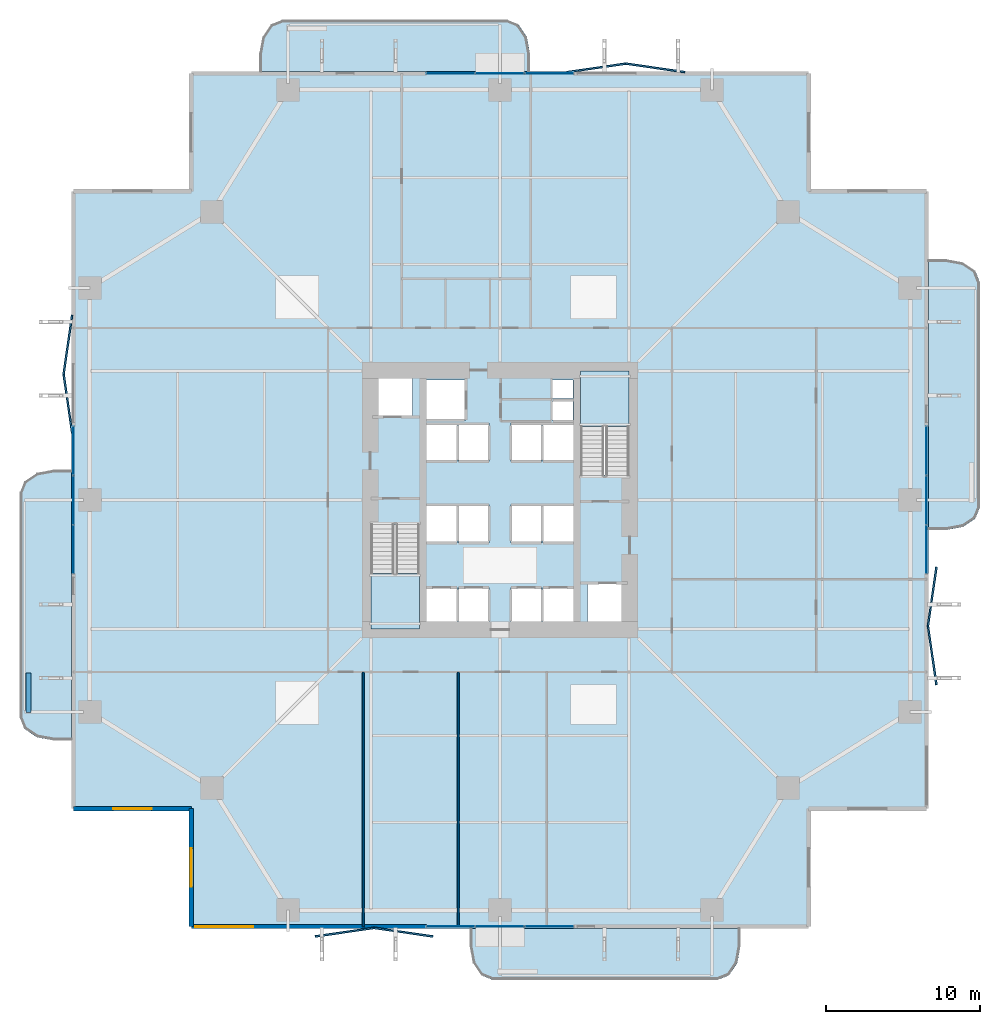
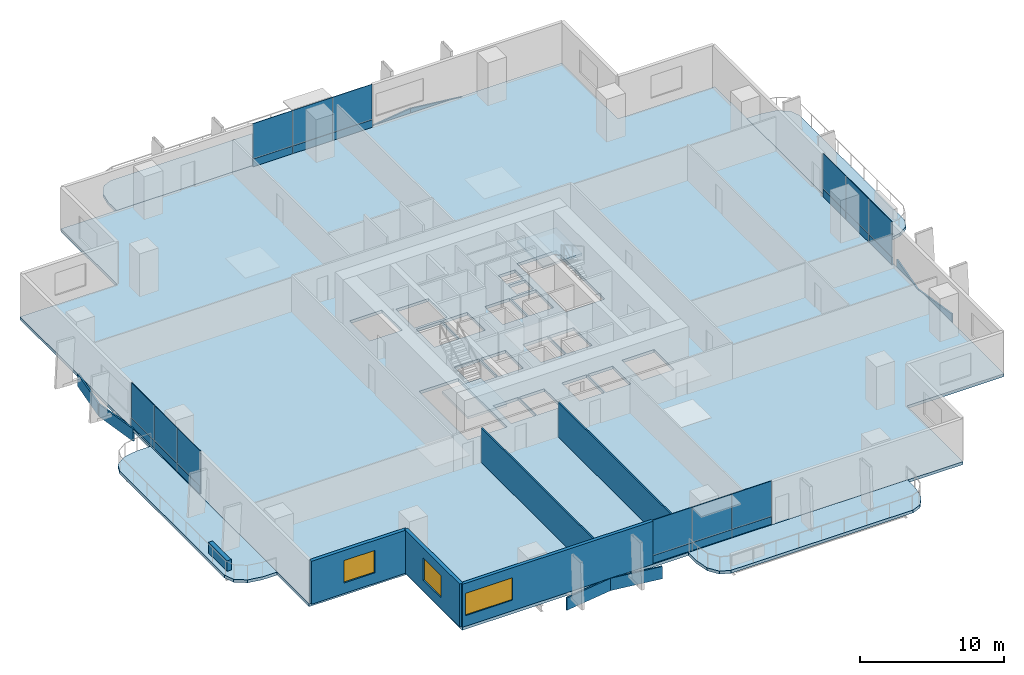
# One storey, part 16 of 24: 32 plates, 7 slabs, 6 walls, 3 windows, 3 openings, 6 elements without a shape of their own.
"""IFC4 building model written with IfcOpenShell, lengths in metres."""

from ifc_helpers import new_model, si_unit, direction, frame, frame_2d, origin, origin_2d, place, context, subcontext, project, spatial, polyline, rectangle, outline, extrude, material, layer, layer_set, type_object, element, fill, aggregate, save


model = new_model("IFC4")

# Units and contexts
model_context = context("Model", 3, precision=1e-05, world=origin(), true_north=direction((0.0, 1.0)))
body_context = subcontext(model_context, "Body", "Model", "MODEL_VIEW")
ifc_project = project(units=[si_unit("LENGTHUNIT", "METRE"), si_unit("AREAUNIT", "SQUARE_METRE"), si_unit("VOLUMEUNIT", "CUBIC_METRE"), si_unit("PLANEANGLEUNIT", "RADIAN"), si_unit("MASSUNIT", "GRAM", prefix="KILO")], contexts=[model_context])

# Site, building, storey
site_placement = place(None, origin())
site = spatial("IfcSite", under=ifc_project, at=site_placement, CompositionType="ELEMENT")
building_placement = place(site_placement, origin())
building = spatial("IfcBuilding", under=site, at=building_placement, Name="Belovzor Exchange Tower", CompositionType="ELEMENT")
storey_placement = place(building_placement, frame((0.0, 0.0, 69.0)))
storey = spatial("IfcBuildingStorey", under=building, at=storey_placement, Name="L16", CompositionType="ELEMENT", Elevation=69.0)

# Slab
ifc_material_1 = material(Name="Concrete C40/50", Category="concrete")
ifc_layer_1 = layer(ifc_material_1, 0.25)
ifc_layer_set_1 = layer_set([ifc_layer_1], Name="Concrete C40/50")
slab_type_1 = type_object("IfcSlabType", Name="Composite Concrete Floor Deck Slab 250", PredefinedType="FLOOR", material=ifc_layer_set_1)
slab_1_placement = place(storey_placement, frame((0.0, 0.0, -0.25)))
element("IfcSlab", 1, at=slab_1_placement, inside=storey, type_object=slab_type_1, Name="SL-F250 Structural Slab L16", PredefinedType="FLOOR", context=body_context, shape_type="SweptSolid", body=[
    extrude(outline(polyline([(8.699951171875, 0.89990234375), (48.89990234375, 0.89990234375), (48.89990234375, 8.699951171875), (56.699951171875, 8.699951171875), (56.699951171875, 48.89990234375), (48.89990234375, 48.89990234375), (48.89990234375, 56.699951171875), (8.699951171875, 56.699951171875), (8.699951171875, 48.89990234375), (0.89990234375, 48.89990234375), (0.89990234375, 8.699951171875), (8.699951171875, 8.699951171875), (8.699951171875, 0.89990234375)]), holes=[polyline([(20.39990234375, 27.175048828125), (20.39990234375, 20.39990234375), (23.550048828125, 20.39990234375), (23.550048828125, 27.175048828125), (20.39990234375, 27.175048828125)]), polyline([(37.199951171875, 30.425048828125), (37.199951171875, 37.199951171875), (34.050048828125, 37.199951171875), (34.050048828125, 30.425048828125), (37.199951171875, 30.425048828125)]), polyline([(20.5, 34.199951171875), (23.10009765625, 34.199951171875), (23.10009765625, 37.0), (20.5, 37.0), (20.5, 34.199951171875)]), polyline([(34.5, 20.60009765625), (37.10009765625, 20.60009765625), (37.10009765625, 23.39990234375), (34.5, 23.39990234375), (34.5, 20.60009765625)]), polyline([(24.0, 34.0), (26.60009765625, 34.0), (26.60009765625, 36.60009765625), (24.0, 36.60009765625), (24.0, 34.0)]), polyline([(24.0, 20.60009765625), (26.0, 20.60009765625), (26.0, 23.10009765625), (24.0, 23.10009765625), (24.0, 20.60009765625)]), polyline([(26.10009765625, 20.60009765625), (28.10009765625, 20.60009765625), (28.10009765625, 23.10009765625), (26.10009765625, 23.10009765625), (26.10009765625, 20.60009765625)]), polyline([(29.5, 20.60009765625), (31.5, 20.60009765625), (31.5, 23.10009765625), (29.5, 23.10009765625), (29.5, 20.60009765625)]), polyline([(31.60009765625, 20.60009765625), (33.60009765625, 20.60009765625), (33.60009765625, 23.10009765625), (31.60009765625, 23.10009765625), (31.60009765625, 20.60009765625)]), polyline([(24.0, 26.0), (26.0, 26.0), (26.0, 28.5), (24.0, 28.5), (24.0, 26.0)]), polyline([(26.10009765625, 26.0), (28.10009765625, 26.0), (28.10009765625, 28.5), (26.10009765625, 28.5), (26.10009765625, 26.0)]), polyline([(29.5, 26.0), (31.5, 26.0), (31.5, 28.5), (29.5, 28.5), (29.5, 26.0)]), polyline([(31.60009765625, 26.0), (33.60009765625, 26.0), (33.60009765625, 28.5), (31.60009765625, 28.5), (31.60009765625, 26.0)]), polyline([(24.0, 31.300048828125), (26.0, 31.300048828125), (26.0, 33.800048828125), (24.0, 33.800048828125), (24.0, 31.300048828125)]), polyline([(26.10009765625, 31.300048828125), (28.10009765625, 31.300048828125), (28.10009765625, 33.800048828125), (26.10009765625, 33.800048828125), (26.10009765625, 31.300048828125)]), polyline([(29.5, 31.300048828125), (31.5, 31.300048828125), (31.5, 33.800048828125), (29.5, 33.800048828125), (29.5, 31.300048828125)]), polyline([(31.60009765625, 31.300048828125), (33.60009765625, 31.300048828125), (33.60009765625, 33.800048828125), (31.60009765625, 33.800048828125), (31.60009765625, 31.300048828125)]), polyline([(32.199951171875, 34.0), (33.550048828125, 34.0), (33.550048828125, 35.199951171875), (32.199951171875, 35.199951171875), (32.199951171875, 34.0)]), polyline([(32.199951171875, 35.39990234375), (33.550048828125, 35.39990234375), (33.550048828125, 36.60009765625), (32.199951171875, 36.60009765625), (32.199951171875, 35.39990234375)])]), origin(), (0.0, 0.0, 1.0), 0.25),
])

# Plates
ifc_material_2 = material(Name="Extruded Architectural Terracotta", Category="masonry")
ifc_layer_2 = layer(ifc_material_2, 0.1201171875)
ifc_layer_set_2 = layer_set([ifc_layer_2], Name="Extruded Architectural Terracotta")
plate_type_1 = type_object("IfcPlateType", Name="Folded Zigzag Terracotta Spandrel Louvre 80", PredefinedType="USERDEFINED", material=ifc_layer_set_2)
for number, where, z_axis, x_axis, name in (
    (2, (18.699951171875, 0.6650390625, -1.03515625), (0.0, 0.0, 1.0), (0.989686419138, 0.143250800258, 0.0), "LVR-ZZ1 Zigzag Terracotta Spandrel Louvre L16 S1A"),
    (3, (22.5, 0.6650390625, -1.03515625), (0.0, 0.0, 1.0), (0.989686419138, -0.143250800258, 0.0), "LVR-ZZ1 Zigzag Terracotta Spandrel Louvre L16 S1B"),
    (4, (56.93505859375, 18.699951171875, -1.03515625), (0.0, 0.0, 1.0), (-0.143250800258, 0.989686419138, 0.0), "LVR-ZZ1 Zigzag Terracotta Spandrel Louvre L16 E1A"),
    (5, (56.93505859375, 22.5, -1.03515625), (0.0, 0.0, 1.0), (0.143250800258, 0.989686419138, 0.0), "LVR-ZZ1 Zigzag Terracotta Spandrel Louvre L16 E1B"),
    (6, (35.10009765625, 56.93505859375, -1.03515625), (0.0, 0.0, 1.0), (0.989686419138, 0.143250800258, 0.0), "LVR-ZZ1 Zigzag Terracotta Spandrel Louvre L16 N2A"),
    (7, (38.89990234375, 56.93505859375, -1.03515625), (0.0, 0.0, 1.0), (0.989686419138, -0.143250800258, 0.0), "LVR-ZZ1 Zigzag Terracotta Spandrel Louvre L16 N2B"),
    (8, (0.6650390625, 35.10009765625, -1.03515625), (0.0, 0.0, 1.0), (-0.143250800258, 0.989686419138, 0.0), "LVR-ZZ1 Zigzag Terracotta Spandrel Louvre L16 W2A"),
    (9, (0.6650390625, 38.89990234375, -1.03515625), (0.0, 0.0, 1.0), (0.143250800258, 0.989686419138, 0.0), "LVR-ZZ1 Zigzag Terracotta Spandrel Louvre L16 W2B"),
):
    element("IfcPlate", number, at=place(storey_placement, frame(where, z_axis=z_axis, x_axis=x_axis)), inside=storey, type_object=plate_type_1, Name=name, ObjectType="SPANDREL_LOUVRE", PredefinedType="USERDEFINED", context=body_context, shape_type="SweptSolid", body=[
        extrude(rectangle(XDim=3.919921875, YDim=0.1201171875, at=origin_2d()), origin(), (0.0, 0.0, 1.0), 1.050048828125),
    ])

# Curtain wall, plates
ifc_material_3 = material(Name="Anodised Aluminium Framing", Category="aluminium")
ifc_layer_3 = layer(ifc_material_3, 0.179931640625)
ifc_layer_set_3 = layer_set([ifc_layer_3], Name="Anodised Aluminium Framing")
curtain_wall_type = type_object("IfcCurtainWallType", Name="Recessed Loggia Low-Iron Triple-Glazed Curtain Wall", PredefinedType="NOTDEFINED", material=ifc_layer_set_3)
curtain_wall_1_placement = place(storey_placement, origin())
curtain_wall_1 = element("IfcCurtainWall", 10, at=curtain_wall_1_placement, inside=storey, type_object=curtain_wall_type, Name="CW3 Recessed Loggia Low-Iron Triple-Glazed Curtain Wall L16", PredefinedType="NOTDEFINED")
ifc_material_4 = material(Name="Solar-Control Triple Glazing", Category="glass")
ifc_layer_4 = layer(ifc_material_4, 0.0439453125)
ifc_layer_set_4 = layer_set([ifc_layer_4], Name="Solar-Control Triple Glazing")
plate_type_2 = type_object("IfcPlateType", Name="Insulated Solar Glazing Curtain Panel 44", PredefinedType="CURTAIN_PANEL", material=ifc_layer_set_4)
plate_1_placement = place(storey_placement, frame((32.0, 1.030029296875, 0.65185546875), z_axis=(0.0, 0.0, 1.0), x_axis=(-1.0, 0.0, 0.0)))
plate_1 = element("IfcPlate", 11, at=plate_1_placement, type_object=plate_type_2, Name="GLZ-44 Glazed Curtain Panel 1", PredefinedType="CURTAIN_PANEL", context=body_context, shape_type="SweptSolid", body=[
    extrude(rectangle(XDim=3.18408203125, YDim=0.0439453125, at=origin_2d()), origin(), (0.0, 0.0, 1.0), 2.998046875),
])
plate_2_placement = place(storey_placement, frame((28.800048828125, 1.030029296875, 0.65185546875), z_axis=(0.0, 0.0, 1.0), x_axis=(-1.0, 0.0, 0.0)))
plate_2 = element("IfcPlate", 12, at=plate_2_placement, type_object=plate_type_2, Name="GLZ-44 Glazed Curtain Panel 2", PredefinedType="CURTAIN_PANEL", context=body_context, shape_type="SweptSolid", body=[
    extrude(rectangle(XDim=3.18408203125, YDim=0.0439453125, at=origin_2d()), origin(), (0.0, 0.0, 1.0), 2.998046875),
])
plate_3_placement = place(storey_placement, frame((25.60009765625, 1.030029296875, 0.65185546875), z_axis=(0.0, 0.0, 1.0), x_axis=(-1.0, 0.0, 0.0)))
plate_3 = element("IfcPlate", 13, at=plate_3_placement, type_object=plate_type_2, Name="GLZ-44 Glazed Curtain Panel 3", PredefinedType="CURTAIN_PANEL", context=body_context, shape_type="SweptSolid", body=[
    extrude(rectangle(XDim=3.18408203125, YDim=0.0439453125, at=origin_2d()), origin(), (0.0, 0.0, 1.0), 2.998046875),
])

curtain_wall_2_placement = place(storey_placement, origin())
curtain_wall_2 = element("IfcCurtainWall", 14, at=curtain_wall_2_placement, inside=storey, type_object=curtain_wall_type, Name="CW3 Recessed Loggia Low-Iron Triple-Glazed Curtain Wall L16", PredefinedType="NOTDEFINED")
plate_4_placement = place(storey_placement, frame((25.60009765625, 56.570068359375, 0.65185546875), z_axis=(0.0, 0.0, 1.0), x_axis=(1.0, 0.0, 0.0)))
plate_4 = element("IfcPlate", 15, at=plate_4_placement, type_object=plate_type_2, Name="GLZ-44 Glazed Curtain Panel 1", PredefinedType="CURTAIN_PANEL", context=body_context, shape_type="SweptSolid", body=[
    extrude(rectangle(XDim=3.18408203125, YDim=0.0439453125, at=origin_2d()), origin(), (0.0, 0.0, 1.0), 2.998046875),
])
plate_5_placement = place(storey_placement, frame((28.800048828125, 56.570068359375, 0.65185546875), z_axis=(0.0, 0.0, 1.0), x_axis=(1.0, 0.0, 0.0)))
plate_5 = element("IfcPlate", 16, at=plate_5_placement, type_object=plate_type_2, Name="GLZ-44 Glazed Curtain Panel 2", PredefinedType="CURTAIN_PANEL", context=body_context, shape_type="SweptSolid", body=[
    extrude(rectangle(XDim=3.18408203125, YDim=0.0439453125, at=origin_2d()), origin(), (0.0, 0.0, 1.0), 2.998046875),
])
plate_6_placement = place(storey_placement, frame((32.0, 56.570068359375, 0.65185546875), z_axis=(0.0, 0.0, 1.0), x_axis=(1.0, 0.0, 0.0)))
plate_6 = element("IfcPlate", 17, at=plate_6_placement, type_object=plate_type_2, Name="GLZ-44 Glazed Curtain Panel 3", PredefinedType="CURTAIN_PANEL", context=body_context, shape_type="SweptSolid", body=[
    extrude(rectangle(XDim=3.18408203125, YDim=0.0439453125, at=origin_2d()), origin(), (0.0, 0.0, 1.0), 2.998046875),
])

curtain_wall_3_placement = place(storey_placement, origin())
curtain_wall_3 = element("IfcCurtainWall", 18, at=curtain_wall_3_placement, inside=storey, type_object=curtain_wall_type, Name="CW3 Recessed Loggia Low-Iron Triple-Glazed Curtain Wall L16", PredefinedType="NOTDEFINED")
plate_7_placement = place(storey_placement, frame((1.030029296875, 25.60009765625, 0.65185546875), z_axis=(0.0, 0.0, 1.0), x_axis=(0.0, 1.0, 0.0)))
plate_7 = element("IfcPlate", 19, at=plate_7_placement, type_object=plate_type_2, Name="GLZ-44 Glazed Curtain Panel 1", PredefinedType="CURTAIN_PANEL", context=body_context, shape_type="SweptSolid", body=[
    extrude(rectangle(XDim=3.18408203125, YDim=0.0439453125, at=origin_2d()), origin(), (0.0, 0.0, 1.0), 2.998046875),
])
plate_8_placement = place(storey_placement, frame((1.030029296875, 28.800048828125, 0.65185546875), z_axis=(0.0, 0.0, 1.0), x_axis=(0.0, 1.0, 0.0)))
plate_8 = element("IfcPlate", 20, at=plate_8_placement, type_object=plate_type_2, Name="GLZ-44 Glazed Curtain Panel 2", PredefinedType="CURTAIN_PANEL", context=body_context, shape_type="SweptSolid", body=[
    extrude(rectangle(XDim=3.18408203125, YDim=0.0439453125, at=origin_2d()), origin(), (0.0, 0.0, 1.0), 2.998046875),
])
plate_9_placement = place(storey_placement, frame((1.030029296875, 32.0, 0.65185546875), z_axis=(0.0, 0.0, 1.0), x_axis=(0.0, 1.0, 0.0)))
plate_9 = element("IfcPlate", 21, at=plate_9_placement, type_object=plate_type_2, Name="GLZ-44 Glazed Curtain Panel 3", PredefinedType="CURTAIN_PANEL", context=body_context, shape_type="SweptSolid", body=[
    extrude(rectangle(XDim=3.18408203125, YDim=0.0439453125, at=origin_2d()), origin(), (0.0, 0.0, 1.0), 2.998046875),
])

curtain_wall_4_placement = place(storey_placement, origin())
curtain_wall_4 = element("IfcCurtainWall", 22, at=curtain_wall_4_placement, inside=storey, type_object=curtain_wall_type, Name="CW3 Recessed Loggia Low-Iron Triple-Glazed Curtain Wall L16", PredefinedType="NOTDEFINED")
plate_10_placement = place(storey_placement, frame((56.570068359375, 32.0, 0.65185546875), z_axis=(0.0, 0.0, 1.0), x_axis=(0.0, -1.0, 0.0)))
plate_10 = element("IfcPlate", 23, at=plate_10_placement, type_object=plate_type_2, Name="GLZ-44 Glazed Curtain Panel 1", PredefinedType="CURTAIN_PANEL", context=body_context, shape_type="SweptSolid", body=[
    extrude(rectangle(XDim=3.18408203125, YDim=0.0439453125, at=origin_2d()), origin(), (0.0, 0.0, 1.0), 2.998046875),
])
plate_11_placement = place(storey_placement, frame((56.570068359375, 28.800048828125, 0.65185546875), z_axis=(0.0, 0.0, 1.0), x_axis=(0.0, -1.0, 0.0)))
plate_11 = element("IfcPlate", 24, at=plate_11_placement, type_object=plate_type_2, Name="GLZ-44 Glazed Curtain Panel 2", PredefinedType="CURTAIN_PANEL", context=body_context, shape_type="SweptSolid", body=[
    extrude(rectangle(XDim=3.18408203125, YDim=0.0439453125, at=origin_2d()), origin(), (0.0, 0.0, 1.0), 2.998046875),
])
plate_12_placement = place(storey_placement, frame((56.570068359375, 25.60009765625, 0.65185546875), z_axis=(0.0, 0.0, 1.0), x_axis=(0.0, -1.0, 0.0)))
plate_12 = element("IfcPlate", 25, at=plate_12_placement, type_object=plate_type_2, Name="GLZ-44 Glazed Curtain Panel 3", PredefinedType="CURTAIN_PANEL", context=body_context, shape_type="SweptSolid", body=[
    extrude(rectangle(XDim=3.18408203125, YDim=0.0439453125, at=origin_2d()), origin(), (0.0, 0.0, 1.0), 2.998046875),
])

# Stair, slab
ifc_material_5 = material(Name="Concrete C40/50", Category="concrete")
stair_type = type_object("IfcStairType", Name="Reinforced Concrete Dogleg Escape Stair 1350", PredefinedType="HALF_TURN_STAIR", material=ifc_material_5)
stair_1_placement = place(storey_placement, origin())
stair_1 = element("IfcStair", 26, at=stair_1_placement, inside=storey, type_object=stair_type, Name="L16 ST-1", PredefinedType="HALF_TURN_STAIR")
ifc_material_6 = material(Name="Concrete C40/50", Category="concrete")
ifc_layer_5 = layer(ifc_material_6, 0.199951171875)
ifc_layer_set_5 = layer_set([ifc_layer_5], Name="Concrete C40/50")
slab_type_2 = type_object("IfcSlabType", Name="Reinforced Concrete Stair Half-Landing Slab 200", PredefinedType="LANDING", material=ifc_layer_set_5)
slab_2_placement = place(storey_placement, frame((0.0, 0.0, 1.75)))
slab_2 = element("IfcSlab", 27, at=slab_2_placement, type_object=slab_type_2, Name="ST-1 landing 1", PredefinedType="LANDING", context=body_context, shape_type="SweptSolid", body=[
    extrude(outline(polyline([(20.39990234375, 24.010009765625), (20.39990234375, 20.39990234375), (23.550048828125, 20.39990234375), (23.550048828125, 24.010009765625), (20.39990234375, 24.010009765625)])), origin(), (0.0, 0.0, 1.0), 0.199951171875),
])
aggregate(stair_1, [slab_2])

stair_2_placement = place(storey_placement, origin())
stair_2 = element("IfcStair", 28, at=stair_2_placement, inside=storey, type_object=stair_type, Name="L16 ST-2", PredefinedType="HALF_TURN_STAIR")
slab_3_placement = place(storey_placement, frame((0.0, 0.0, 1.75)))
slab_3 = element("IfcSlab", 29, at=slab_3_placement, type_object=slab_type_2, Name="ST-2 landing 1", PredefinedType="LANDING", context=body_context, shape_type="SweptSolid", body=[
    extrude(outline(polyline([(37.199951171875, 33.590087890625), (37.199951171875, 37.199951171875), (34.050048828125, 37.199951171875), (34.050048828125, 33.590087890625), (37.199951171875, 33.590087890625)])), origin(), (0.0, 0.0, 1.0), 0.199951171875),
])
aggregate(stair_2, [slab_3])

# Plate
ifc_material_7 = material(Name="Extruded Architectural Terracotta", Category="masonry")
ifc_layer_6 = layer(ifc_material_7, 0.090087890625)
ifc_layer_set_6 = layer_set([ifc_layer_6], Name="Extruded Architectural Terracotta")
plate_type_3 = type_object("IfcPlateType", Name="Terracotta Shadow-Box Spandrel Panel 90", PredefinedType="CURTAIN_PANEL", material=ifc_layer_set_6)
plate_13_placement = place(storey_placement, frame((32.0, 1.030029296875, 0.0), z_axis=(0.0, 0.0, 1.0), x_axis=(-1.0, 0.0, 0.0)))
plate_13 = element("IfcPlate", 30, at=plate_13_placement, type_object=plate_type_3, Name="SPD-90 Spandrel Panel 1", PredefinedType="CURTAIN_PANEL", context=body_context, shape_type="SweptSolid", body=[
    extrude(rectangle(XDim=3.18408203125, YDim=0.090087890625, at=origin_2d()), origin(), (0.0, 0.0, 1.0), 0.64794921875),
])

plate_14_placement = place(storey_placement, frame((28.800048828125, 1.030029296875, 0.0), z_axis=(0.0, 0.0, 1.0), x_axis=(-1.0, 0.0, 0.0)))
plate_14 = element("IfcPlate", 31, at=plate_14_placement, type_object=plate_type_3, Name="SPD-90 Spandrel Panel 2", PredefinedType="CURTAIN_PANEL", context=body_context, shape_type="SweptSolid", body=[
    extrude(rectangle(XDim=3.18408203125, YDim=0.090087890625, at=origin_2d()), origin(), (0.0, 0.0, 1.0), 0.64794921875),
])

plate_15_placement = place(storey_placement, frame((25.60009765625, 1.030029296875, 0.0), z_axis=(0.0, 0.0, 1.0), x_axis=(-1.0, 0.0, 0.0)))
plate_15 = element("IfcPlate", 32, at=plate_15_placement, type_object=plate_type_3, Name="SPD-90 Spandrel Panel 3", PredefinedType="CURTAIN_PANEL", context=body_context, shape_type="SweptSolid", body=[
    extrude(rectangle(XDim=3.18408203125, YDim=0.090087890625, at=origin_2d()), origin(), (0.0, 0.0, 1.0), 0.64794921875),
])

aggregate(curtain_wall_1, [plate_13, plate_1, plate_14, plate_2, plate_15, plate_3])

plate_16_placement = place(storey_placement, frame((25.60009765625, 56.570068359375, 0.0), z_axis=(0.0, 0.0, 1.0), x_axis=(1.0, 0.0, 0.0)))
plate_16 = element("IfcPlate", 33, at=plate_16_placement, type_object=plate_type_3, Name="SPD-90 Spandrel Panel 1", PredefinedType="CURTAIN_PANEL", context=body_context, shape_type="SweptSolid", body=[
    extrude(rectangle(XDim=3.18408203125, YDim=0.090087890625, at=origin_2d()), origin(), (0.0, 0.0, 1.0), 0.64794921875),
])

plate_17_placement = place(storey_placement, frame((28.800048828125, 56.570068359375, 0.0), z_axis=(0.0, 0.0, 1.0), x_axis=(1.0, 0.0, 0.0)))
plate_17 = element("IfcPlate", 34, at=plate_17_placement, type_object=plate_type_3, Name="SPD-90 Spandrel Panel 2", PredefinedType="CURTAIN_PANEL", context=body_context, shape_type="SweptSolid", body=[
    extrude(rectangle(XDim=3.18408203125, YDim=0.090087890625, at=origin_2d()), origin(), (0.0, 0.0, 1.0), 0.64794921875),
])

plate_18_placement = place(storey_placement, frame((32.0, 56.570068359375, 0.0), z_axis=(0.0, 0.0, 1.0), x_axis=(1.0, 0.0, 0.0)))
plate_18 = element("IfcPlate", 35, at=plate_18_placement, type_object=plate_type_3, Name="SPD-90 Spandrel Panel 3", PredefinedType="CURTAIN_PANEL", context=body_context, shape_type="SweptSolid", body=[
    extrude(rectangle(XDim=3.18408203125, YDim=0.090087890625, at=origin_2d()), origin(), (0.0, 0.0, 1.0), 0.64794921875),
])

aggregate(curtain_wall_2, [plate_16, plate_4, plate_17, plate_5, plate_18, plate_6])

plate_19_placement = place(storey_placement, frame((1.030029296875, 25.60009765625, 0.0), z_axis=(0.0, 0.0, 1.0), x_axis=(0.0, 1.0, 0.0)))
plate_19 = element("IfcPlate", 36, at=plate_19_placement, type_object=plate_type_3, Name="SPD-90 Spandrel Panel 1", PredefinedType="CURTAIN_PANEL", context=body_context, shape_type="SweptSolid", body=[
    extrude(rectangle(XDim=3.18408203125, YDim=0.090087890625, at=origin_2d()), origin(), (0.0, 0.0, 1.0), 0.64794921875),
])

plate_20_placement = place(storey_placement, frame((1.030029296875, 28.800048828125, 0.0), z_axis=(0.0, 0.0, 1.0), x_axis=(0.0, 1.0, 0.0)))
plate_20 = element("IfcPlate", 37, at=plate_20_placement, type_object=plate_type_3, Name="SPD-90 Spandrel Panel 2", PredefinedType="CURTAIN_PANEL", context=body_context, shape_type="SweptSolid", body=[
    extrude(rectangle(XDim=3.18408203125, YDim=0.090087890625, at=origin_2d()), origin(), (0.0, 0.0, 1.0), 0.64794921875),
])

plate_21_placement = place(storey_placement, frame((1.030029296875, 32.0, 0.0), z_axis=(0.0, 0.0, 1.0), x_axis=(0.0, 1.0, 0.0)))
plate_21 = element("IfcPlate", 38, at=plate_21_placement, type_object=plate_type_3, Name="SPD-90 Spandrel Panel 3", PredefinedType="CURTAIN_PANEL", context=body_context, shape_type="SweptSolid", body=[
    extrude(rectangle(XDim=3.18408203125, YDim=0.090087890625, at=origin_2d()), origin(), (0.0, 0.0, 1.0), 0.64794921875),
])

aggregate(curtain_wall_3, [plate_19, plate_7, plate_20, plate_8, plate_21, plate_9])

plate_22_placement = place(storey_placement, frame((56.570068359375, 32.0, 0.0), z_axis=(0.0, 0.0, 1.0), x_axis=(0.0, -1.0, 0.0)))
plate_22 = element("IfcPlate", 39, at=plate_22_placement, type_object=plate_type_3, Name="SPD-90 Spandrel Panel 1", PredefinedType="CURTAIN_PANEL", context=body_context, shape_type="SweptSolid", body=[
    extrude(rectangle(XDim=3.18408203125, YDim=0.090087890625, at=origin_2d()), origin(), (0.0, 0.0, 1.0), 0.64794921875),
])

plate_23_placement = place(storey_placement, frame((56.570068359375, 28.800048828125, 0.0), z_axis=(0.0, 0.0, 1.0), x_axis=(0.0, -1.0, 0.0)))
plate_23 = element("IfcPlate", 40, at=plate_23_placement, type_object=plate_type_3, Name="SPD-90 Spandrel Panel 2", PredefinedType="CURTAIN_PANEL", context=body_context, shape_type="SweptSolid", body=[
    extrude(rectangle(XDim=3.18408203125, YDim=0.090087890625, at=origin_2d()), origin(), (0.0, 0.0, 1.0), 0.64794921875),
])

plate_24_placement = place(storey_placement, frame((56.570068359375, 25.60009765625, 0.0), z_axis=(0.0, 0.0, 1.0), x_axis=(0.0, -1.0, 0.0)))
plate_24 = element("IfcPlate", 41, at=plate_24_placement, type_object=plate_type_3, Name="SPD-90 Spandrel Panel 3", PredefinedType="CURTAIN_PANEL", context=body_context, shape_type="SweptSolid", body=[
    extrude(rectangle(XDim=3.18408203125, YDim=0.090087890625, at=origin_2d()), origin(), (0.0, 0.0, 1.0), 0.64794921875),
])

aggregate(curtain_wall_4, [plate_22, plate_10, plate_23, plate_11, plate_24, plate_12])

# Slabs
ifc_material_8 = material(Name="Concrete C40/50", Category="concrete")
ifc_layer_7 = layer(ifc_material_8, 0.25)
ifc_layer_set_7 = layer_set([ifc_layer_7], Name="Concrete C40/50")
slab_type_3 = type_object("IfcSlabType", Name="Thermally Broken Planted Balcony Slab 250", PredefinedType="FLOOR", material=ifc_layer_set_7)
slab_4_placement = place(storey_placement, frame((0.0, 0.0, -0.25)))
element("IfcSlab", 42, at=slab_4_placement, inside=storey, type_object=slab_type_3, Name="SL-BAL220 Planted Balcony Loggia L16 South", PredefinedType="FLOOR", context=body_context, shape_type="SweptSolid", body=[
    extrude(outline(polyline([(26.85009765625, 0.9150390625), (26.85009765625, -0.25), (27.051025390625, -1.35009765625), (27.60009765625, -2.155029296875), (28.35009765625, -2.449951171875), (42.949951171875, -2.449951171875), (43.699951171875, -2.155029296875), (44.2490234375, -1.35009765625), (44.449951171875, -0.25), (44.449951171875, 0.9150390625), (26.85009765625, 0.9150390625)])), origin(), (0.0, 0.0, 1.0), 0.25),
])
slab_5_placement = place(storey_placement, frame((0.0, 0.0, -0.25)))
element("IfcSlab", 43, at=slab_5_placement, inside=storey, type_object=slab_type_3, Name="SL-BAL220 Planted Balcony Loggia L16 North", PredefinedType="FLOOR", context=body_context, shape_type="SweptSolid", body=[
    extrude(outline(polyline([(30.75, 56.68505859375), (30.75, 57.85009765625), (30.549072265625, 58.949951171875), (30.0, 59.7548828125), (29.25, 60.050048828125), (14.64990234375, 60.050048828125), (13.89990234375, 59.7548828125), (13.35107421875, 58.949951171875), (13.14990234375, 57.85009765625), (13.14990234375, 56.68505859375), (30.75, 56.68505859375)])), origin(), (0.0, 0.0, 1.0), 0.25),
])
slab_6_placement = place(storey_placement, frame((0.0, 0.0, -0.25)))
element("IfcSlab", 44, at=slab_6_placement, inside=storey, type_object=slab_type_3, Name="SL-BAL220 Planted Balcony Loggia L16 East", PredefinedType="FLOOR", context=body_context, shape_type="SweptSolid", body=[
    extrude(outline(polyline([(56.68505859375, 26.85009765625), (57.85009765625, 26.85009765625), (58.949951171875, 27.051025390625), (59.7548828125, 27.60009765625), (60.050048828125, 28.35009765625), (60.050048828125, 42.949951171875), (59.7548828125, 43.699951171875), (58.949951171875, 44.2490234375), (57.85009765625, 44.449951171875), (56.68505859375, 44.449951171875), (56.68505859375, 26.85009765625)])), origin(), (0.0, 0.0, 1.0), 0.25),
])
slab_7_placement = place(storey_placement, frame((0.0, 0.0, -0.25)))
element("IfcSlab", 45, at=slab_7_placement, inside=storey, type_object=slab_type_3, Name="SL-BAL220 Planted Balcony Loggia L16 West", PredefinedType="FLOOR", context=body_context, shape_type="SweptSolid", body=[
    extrude(outline(polyline([(0.9150390625, 30.75), (-0.25, 30.75), (-1.35009765625, 30.549072265625), (-2.155029296875, 30.0), (-2.449951171875, 29.25), (-2.449951171875, 14.64990234375), (-2.155029296875, 13.89990234375), (-1.35009765625, 13.35107421875), (-0.25, 13.14990234375), (0.9150390625, 13.14990234375), (0.9150390625, 30.75)])), origin(), (0.0, 0.0, 1.0), 0.25),
])

# Walls
ifc_material_9 = material(Name="Acoustic Plasterboard on Galvanised Studs", Category="gypsum")
ifc_layer_8 = layer(ifc_material_9, 0.1201171875)
ifc_layer_set_8 = layer_set([ifc_layer_8], Name="Acoustic Plasterboard on Galvanised Studs")
wall_type_1 = type_object("IfcWallType", Name="Acoustic Double-Stud Partition Wall 120", PredefinedType="PARTITIONING", material=ifc_layer_set_8)
for number, where, z_axis, x_axis, name in (
    (46, (19.89990234375, 1.030029296875, 0.0), (0.0, 0.0, 1.0), (0.0, 1.0, 0.0), "W-P120 Partition Wall W-L16-SDIV-1"),
    (47, (26.080078125, 1.030029296875, 0.0), (0.0, 0.0, 1.0), (0.0, 1.0, 0.0), "W-P120 Partition Wall W-L16-SDIV-2"),
):
    element("IfcWall", number, at=place(storey_placement, frame(where, z_axis=z_axis, x_axis=x_axis)), inside=storey, type_object=wall_type_1, Name=name, PredefinedType="PARTITIONING", context=body_context, shape_type="SweptSolid", body=[
        extrude(rectangle(XDim=16.570068359375, YDim=0.1201171875, at=frame_2d((8.28515625, 0.0))), origin(), (0.0, 0.0, 1.0), 2.93505859375),
    ])

# Wall, opening, window
ifc_material_10 = material(Name="Precast concrete C40/50", Category="concrete")
ifc_layer_9 = layer(ifc_material_10, 0.280029296875)
ifc_layer_set_9 = layer_set([ifc_layer_9], Name="Precast concrete C40/50")
wall_type_2 = type_object("IfcWallType", Name="Precast Concrete Notched Corner Frame Wall 280", PredefinedType="SOLIDWALL", material=ifc_layer_set_9)
wall_1_placement = place(storey_placement, frame((8.699951171875, 1.030029296875, 0.0), z_axis=(0.0, 0.0, 1.0), x_axis=(0.0, 1.0, 0.0)))
wall_1 = element("IfcWall", 48, at=wall_1_placement, inside=storey, type_object=wall_type_2, Name="W-CRN280 Precast Concrete Notched Corner Frame Wall 280 L16", PredefinedType="SOLIDWALL", context=body_context, shape_type="SweptSolid", body=[
    extrude(rectangle(XDim=7.669921875, YDim=0.280029296875, at=frame_2d((3.8349609375, 0.0))), origin(), (0.0, 0.0, 1.0), 3.64990234375),
])
opening_1_placement = place(wall_1_placement, frame((2.5849609375, 0.0, 0.89990234375)))
opening_1 = element("IfcOpeningElement", 49, at=opening_1_placement, cuts=wall_1, Name="Opening WN-CRN250", PredefinedType="OPENING", context=body_context, shape_type="SweptSolid", body=[
    extrude(rectangle(XDim=2.5, YDim=1.89990234375, at=frame_2d((1.25, 0.949951171875))), frame((0.0, 0.14990234375, 0.0), z_axis=(0.0, -1.0, 0.0), x_axis=(1.0, 0.0, 0.0)), (0.0, 0.0, 1.0), 0.300048828125),
])
ifc_material_11 = material(Name="Thermally Broken Aluminium and Triple Glazing", Category="aluminium")
window_type_1 = type_object("IfcWindowType", Name="Streamline Moderne Corner Wrap Ribbon Window 2500x1900", PartitioningType="SINGLE_PANEL", PredefinedType="WINDOW", material=ifc_material_11)
window_1_placement = place(opening_1_placement, origin())
window_1 = element("IfcWindow", 50, at=window_1_placement, inside=storey, type_object=window_type_1, Name="WN-CRN250 Streamline Moderne Corner Wrap Ribbon Window 2500x1900", OverallHeight=1.89990234375, OverallWidth=2.5, PartitioningType="SINGLE_PANEL", PredefinedType="WINDOW", context=body_context, shape_type="SweptSolid", body=[
    extrude(rectangle(XDim=2.5, YDim=1.89990234375, at=frame_2d((1.25, 0.949951171875))), frame((0.0, 0.030029296875, 0.0), z_axis=(0.0, -1.0, 0.0), x_axis=(1.0, 0.0, 0.0)), (0.0, 0.0, 1.0), 0.06005859375),
])
fill(opening_1, window_1)

wall_2_placement = place(storey_placement, frame((8.699951171875, 8.699951171875, 0.0), z_axis=(0.0, 0.0, 1.0), x_axis=(-1.0, 0.0, 0.0)))
wall_2 = element("IfcWall", 51, at=wall_2_placement, inside=storey, type_object=wall_type_2, Name="W-CRN280 Precast Concrete Notched Corner Frame Wall 280 L16", PredefinedType="SOLIDWALL", context=body_context, shape_type="SweptSolid", body=[
    extrude(rectangle(XDim=7.669921875, YDim=0.280029296875, at=frame_2d((3.8349609375, 0.0))), origin(), (0.0, 0.0, 1.0), 3.64990234375),
])
opening_2_placement = place(wall_2_placement, frame((2.5849609375, 0.0, 0.89990234375)))
opening_2 = element("IfcOpeningElement", 52, at=opening_2_placement, cuts=wall_2, Name="Opening WN-CRN250", PredefinedType="OPENING", context=body_context, shape_type="SweptSolid", body=[
    extrude(rectangle(XDim=2.5, YDim=1.89990234375, at=frame_2d((1.25, 0.949951171875))), frame((0.0, 0.14990234375, 0.0), z_axis=(0.0, -1.0, 0.0), x_axis=(1.0, 0.0, 0.0)), (0.0, 0.0, 1.0), 0.300048828125),
])
window_2_placement = place(opening_2_placement, origin())
window_2 = element("IfcWindow", 53, at=window_2_placement, inside=storey, type_object=window_type_1, Name="WN-CRN250 Streamline Moderne Corner Wrap Ribbon Window 2500x1900", OverallHeight=1.89990234375, OverallWidth=2.5, PartitioningType="SINGLE_PANEL", PredefinedType="WINDOW", context=body_context, shape_type="SweptSolid", body=[
    extrude(rectangle(XDim=2.5, YDim=1.89990234375, at=frame_2d((1.25, 0.949951171875))), frame((0.0, 0.030029296875, 0.0), z_axis=(0.0, -1.0, 0.0), x_axis=(1.0, 0.0, 0.0)), (0.0, 0.0, 1.0), 0.06005859375),
])
fill(opening_2, window_2)

ifc_material_12 = material(Name="Precast concrete C40/50", Category="concrete")
ifc_layer_10 = layer(ifc_material_12, 0.260009765625)
ifc_layer_set_10 = layer_set([ifc_layer_10], Name="Precast concrete C40/50")
wall_type_3 = type_object("IfcWallType", Name="Precast Concrete Perimeter Loggia Frame Wall 260", PredefinedType="SOLIDWALL", material=ifc_layer_set_10)
wall_3_placement = place(storey_placement, frame((24.0, 1.030029296875, 0.0), z_axis=(0.0, 0.0, 1.0), x_axis=(-1.0, 0.0, 0.0)))
wall_3 = element("IfcWall", 54, at=wall_3_placement, inside=storey, type_object=wall_type_3, Name="W-EXT260 Precast Concrete Perimeter Loggia Frame Wall 260 L16", PredefinedType="SOLIDWALL", context=body_context, shape_type="SweptSolid", body=[
    extrude(rectangle(XDim=15.300048828125, YDim=0.260009765625, at=frame_2d((7.64990234375, 0.0))), origin(), (0.0, 0.0, 1.0), 3.64990234375),
])
opening_3_placement = place(wall_3_placement, frame((11.25, 0.0, 0.89990234375)))
opening_3 = element("IfcOpeningElement", 55, at=opening_3_placement, cuts=wall_3, Name="Opening WN-RIB380", PredefinedType="OPENING", context=body_context, shape_type="SweptSolid", body=[
    extrude(rectangle(XDim=3.800048828125, YDim=1.89990234375, at=frame_2d((1.89990234375, 0.949951171875))), frame((0.0, 0.139892578125, 0.0), z_axis=(0.0, -1.0, 0.0), x_axis=(1.0, 0.0, 0.0)), (0.0, 0.0, 1.0), 0.280029296875),
])
ifc_material_13 = material(Name="Thermally Broken Aluminium and Triple Glazing", Category="aluminium")
window_type_2 = type_object("IfcWindowType", Name="Streamline Moderne Horizontal Ribbon Window 3800x1900", PartitioningType="SINGLE_PANEL", PredefinedType="WINDOW", material=ifc_material_13)
window_3_placement = place(opening_3_placement, origin())
window_3 = element("IfcWindow", 56, at=window_3_placement, inside=storey, type_object=window_type_2, Name="WN-RIB380 Streamline Moderne Horizontal Ribbon Window 3800x1900", OverallHeight=1.89990234375, OverallWidth=3.800048828125, PartitioningType="SINGLE_PANEL", PredefinedType="WINDOW", context=body_context, shape_type="SweptSolid", body=[
    extrude(rectangle(XDim=3.800048828125, YDim=1.89990234375, at=frame_2d((1.89990234375, 0.949951171875))), frame((0.0, 0.030029296875, 0.0), z_axis=(0.0, -1.0, 0.0), x_axis=(1.0, 0.0, 0.0)), (0.0, 0.0, 1.0), 0.06005859375),
])
fill(opening_3, window_3)

# Wall
ifc_material_14 = material(Name="Precast concrete C40/50", Category="concrete")
ifc_layer_11 = layer(ifc_material_14, 0.35009765625)
ifc_layer_set_11 = layer_set([ifc_layer_11], Name="Precast concrete C40/50")
wall_type_4 = type_object("IfcWallType", Name="Precast Concrete Structural Tree Planter Trough 350", PredefinedType="PARAPET", material=ifc_layer_set_11)
wall_4_placement = place(storey_placement, frame((-1.89990234375, 14.949951171875, 0.0), z_axis=(0.0, 0.0, 1.0), x_axis=(0.0, 1.0, 0.0)))
element("IfcWall", 57, at=wall_4_placement, inside=storey, type_object=wall_type_4, Name="PT-350 Precast Concrete Structural Tree Planter Trough 350 L16", PredefinedType="PARAPET", context=body_context, shape_type="SweptSolid", body=[
    extrude(rectangle(XDim=2.60009765625, YDim=0.35009765625, at=frame_2d((1.300048828125, 0.0))), origin(), (0.0, 0.0, 1.0), 0.89990234375),
])

save(model, "model.ifc")
